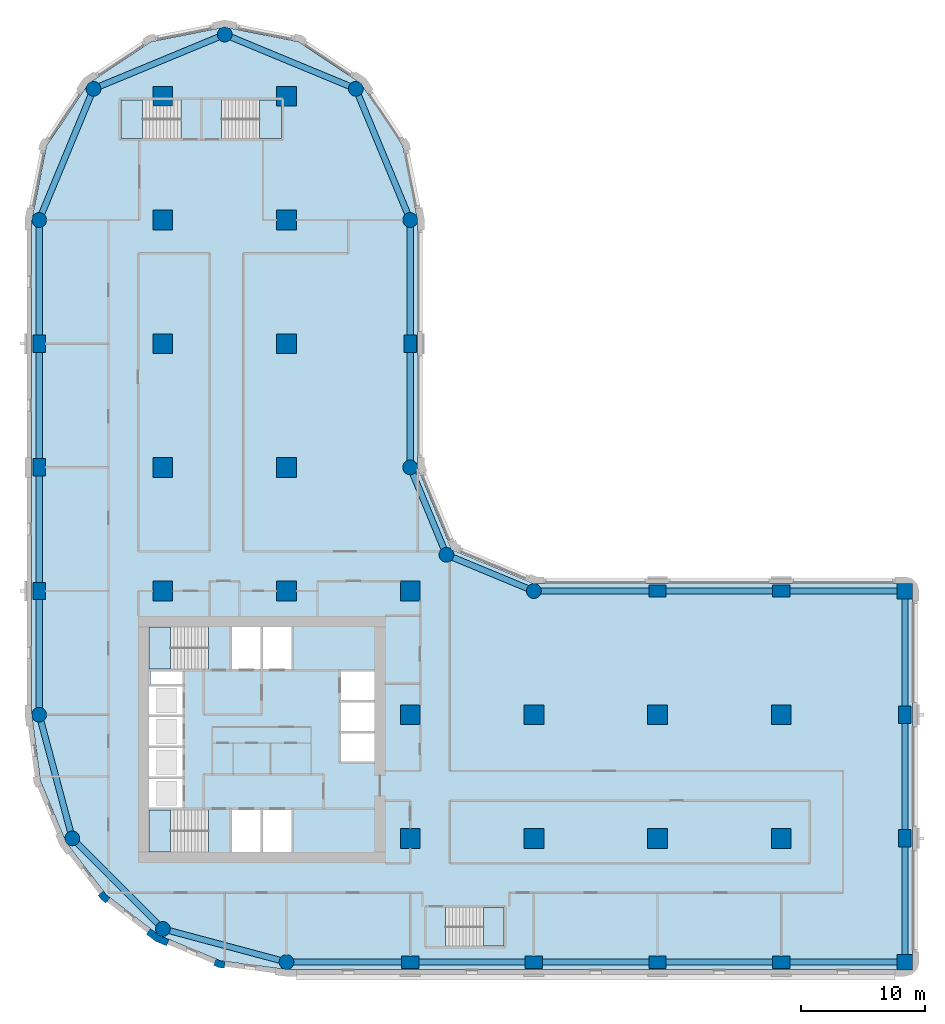
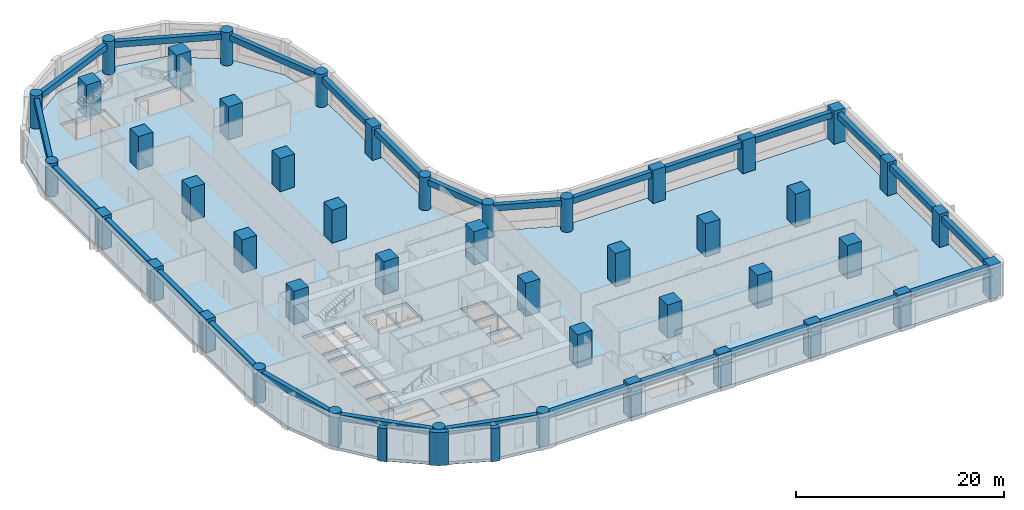
# One storey, part 1 of 10: 45 columns, 26 beams, 6 slabs, 3 walls, 5 elements without a shape of their own.
"""IFC4 building model written with IfcOpenShell, lengths in metres."""

from ifc_helpers import new_model, si_unit, direction, frame, origin, origin_2d, place, context, subcontext, project, spatial, polyline, rectangle, circle, outline, extrude, material, layer, layer_set, material_profile, profile_set, type_object, element, aggregate, save


model = new_model("IFC4")

# Units and contexts
model_context = context("Model", 3, precision=1e-05, world=origin(), true_north=direction((0.0, 1.0)))
body_context = subcontext(model_context, "Body", "Model", "MODEL_VIEW")
ifc_project = project(units=[si_unit("LENGTHUNIT", "METRE"), si_unit("AREAUNIT", "SQUARE_METRE"), si_unit("VOLUMEUNIT", "CUBIC_METRE"), si_unit("PLANEANGLEUNIT", "RADIAN"), si_unit("MASSUNIT", "GRAM", prefix="KILO")], contexts=[model_context])

# Site, building, storey
site_placement = place(None, origin())
site = spatial("IfcSite", under=ifc_project, at=site_placement, CompositionType="ELEMENT")
building_placement = place(site_placement, origin())
building = spatial("IfcBuilding", under=site, at=building_placement, Name="Qaws Garden Tower", CompositionType="ELEMENT")
storey_placement = place(building_placement, frame((0.0, 0.0, 47.10009765625)))
storey = spatial("IfcBuildingStorey", under=building, at=storey_placement, Name="L11", CompositionType="ELEMENT", Elevation=47.10009765625)

# Columns
ifc_material_1 = material(Name="Concrete C80", Category="concrete")
ifc_material_profile_1 = material_profile(ifc_material_1, rectangle(XDim=1.25, YDim=1.25, at=origin_2d()), Name="RC 1250x1250")
ifc_profile_set_1 = profile_set([ifc_material_profile_1], Name="Concrete C80")
column_type_1 = type_object("IfcColumnType", Name="Column RC 1250x1250 C80", PredefinedType="COLUMN", material=ifc_profile_set_1)
for number, where, z_axis, x_axis, name in (
    (1, (70.0, 0.0, 0.0), (0.0, 0.0, 1.0), (1.0, 0.0, 0.0), "Column L11-006"),
    (2, (70.0, 30.0, 0.0), (0.0, 0.0, 1.0), (1.0, 0.0, 0.0), "Column L11-009"),
):
    element("IfcColumn", number, at=place(storey_placement, frame(where, z_axis=z_axis, x_axis=x_axis)), inside=storey, type_object=column_type_1, Name=name, PredefinedType="COLUMN", context=body_context, shape_type="SweptSolid", body=[
        extrude(rectangle(XDim=1.25, YDim=1.25, at=origin_2d()), origin(), (0.0, 0.0, 1.0), 3.89990234375),
    ])
ifc_material_2 = material(Name="Concrete C80", Category="concrete")
ifc_material_profile_2 = material_profile(ifc_material_2, rectangle(XDim=1.39990234375, YDim=1.0, at=origin_2d()), Name="RC 1400x1000")
ifc_profile_set_2 = profile_set([ifc_material_profile_2], Name="Concrete C80")
column_type_2 = type_object("IfcColumnType", Name="Column RC 1400x1000 C80", PredefinedType="COLUMN", material=ifc_profile_set_2)
for number, where, z_axis, x_axis, name in (
    (3, (30.0, 0.0, 0.0), (0.0, 0.0, 1.0), (1.0, 0.0, 0.0), "Column L11-002"),
    (4, (40.0, 0.0, 0.0), (0.0, 0.0, 1.0), (1.0, 0.0, 0.0), "Column L11-003"),
    (5, (50.0, 0.0, 0.0), (0.0, 0.0, 1.0), (1.0, 0.0, 0.0), "Column L11-004"),
    (6, (60.0, 0.0, 0.0), (0.0, 0.0, 1.0), (1.0, 0.0, 0.0), "Column L11-005"),
    (7, (70.0, 10.0, 0.0), (0.0, 0.0, 1.0), (0.0, 1.0, 0.0), "Column L11-007"),
    (8, (70.0, 20.0, 0.0), (0.0, 0.0, 1.0), (0.0, 1.0, 0.0), "Column L11-008"),
    (9, (60.0, 30.0, 0.0), (0.0, 0.0, 1.0), (1.0, 0.0, 0.0), "Column L11-010"),
    (10, (50.0, 30.0, 0.0), (0.0, 0.0, 1.0), (1.0, 0.0, 0.0), "Column L11-011"),
    (11, (30.0, 50.0, 0.0), (0.0, 0.0, 1.0), (0.0, 1.0, 0.0), "Column L11-015"),
    (12, (0.0, 50.0, 0.0), (0.0, 0.0, 1.0), (0.0, 1.0, 0.0), "Column L11-021"),
    (13, (0.0, 40.0, 0.0), (0.0, 0.0, 1.0), (0.0, 1.0, 0.0), "Column L11-022"),
    (14, (0.0, 30.0, 0.0), (0.0, 0.0, 1.0), (0.0, 1.0, 0.0), "Column L11-023"),
):
    element("IfcColumn", number, at=place(storey_placement, frame(where, z_axis=z_axis, x_axis=x_axis)), inside=storey, type_object=column_type_2, Name=name, PredefinedType="COLUMN", context=body_context, shape_type="SweptSolid", body=[
        extrude(rectangle(XDim=1.39990234375, YDim=1.0, at=origin_2d()), origin(), (0.0, 0.0, 1.0), 3.89990234375),
    ])
ifc_material_3 = material(Name="Concrete C80", Category="concrete")
ifc_material_profile_3 = material_profile(ifc_material_3, rectangle(XDim=1.60009765625, YDim=1.60009765625, at=origin_2d()), Name="RC 1600x1600")
ifc_profile_set_3 = profile_set([ifc_material_profile_3], Name="Concrete C80")
column_type_3 = type_object("IfcColumnType", Name="Column RC 1600x1600 C80", PredefinedType="COLUMN", material=ifc_profile_set_3)
for number, where, z_axis, x_axis, name in (
    (15, (10.0, 30.0, 0.0), (0.0, 0.0, 1.0), (1.0, 0.0, 0.0), "Column L11-027"),
    (16, (10.0, 40.0, 0.0), (0.0, 0.0, 1.0), (1.0, 0.0, 0.0), "Column L11-028"),
    (17, (10.0, 50.0, 0.0), (0.0, 0.0, 1.0), (1.0, 0.0, 0.0), "Column L11-029"),
    (18, (10.0, 60.0, 0.0), (0.0, 0.0, 1.0), (1.0, 0.0, 0.0), "Column L11-030"),
    (19, (10.0, 70.0, 0.0), (0.0, 0.0, 1.0), (1.0, 0.0, 0.0), "Column L11-031"),
    (20, (20.0, 30.0, 0.0), (0.0, 0.0, 1.0), (1.0, 0.0, 0.0), "Column L11-032"),
    (21, (20.0, 40.0, 0.0), (0.0, 0.0, 1.0), (1.0, 0.0, 0.0), "Column L11-033"),
    (22, (20.0, 50.0, 0.0), (0.0, 0.0, 1.0), (1.0, 0.0, 0.0), "Column L11-034"),
    (23, (20.0, 60.0, 0.0), (0.0, 0.0, 1.0), (1.0, 0.0, 0.0), "Column L11-035"),
    (24, (20.0, 70.0, 0.0), (0.0, 0.0, 1.0), (1.0, 0.0, 0.0), "Column L11-036"),
    (25, (30.0, 10.0, 0.0), (0.0, 0.0, 1.0), (1.0, 0.0, 0.0), "Column L11-037"),
    (26, (30.0, 20.0, 0.0), (0.0, 0.0, 1.0), (1.0, 0.0, 0.0), "Column L11-038"),
    (27, (30.0, 30.0, 0.0), (0.0, 0.0, 1.0), (1.0, 0.0, 0.0), "Column L11-039"),
    (28, (40.0, 10.0, 0.0), (0.0, 0.0, 1.0), (1.0, 0.0, 0.0), "Column L11-040"),
    (29, (40.0, 20.0, 0.0), (0.0, 0.0, 1.0), (1.0, 0.0, 0.0), "Column L11-041"),
    (30, (50.0, 10.0, 0.0), (0.0, 0.0, 1.0), (1.0, 0.0, 0.0), "Column L11-042"),
    (31, (50.0, 20.0, 0.0), (0.0, 0.0, 1.0), (1.0, 0.0, 0.0), "Column L11-043"),
    (32, (60.0, 10.0, 0.0), (0.0, 0.0, 1.0), (1.0, 0.0, 0.0), "Column L11-044"),
    (33, (60.0, 20.0, 0.0), (0.0, 0.0, 1.0), (1.0, 0.0, 0.0), "Column L11-045"),
):
    element("IfcColumn", number, at=place(storey_placement, frame(where, z_axis=z_axis, x_axis=x_axis)), inside=storey, type_object=column_type_3, Name=name, PredefinedType="COLUMN", context=body_context, shape_type="SweptSolid", body=[
        extrude(rectangle(XDim=1.60009765625, YDim=1.60009765625, at=origin_2d()), origin(), (0.0, 0.0, 1.0), 3.89990234375),
    ])
ifc_material_4 = material(Name="Concrete C80", Category="concrete")
ifc_material_profile_4 = material_profile(ifc_material_4, circle(Radius=0.60009765625, at=origin_2d()), Name="RC D1200")
ifc_profile_set_4 = profile_set([ifc_material_profile_4], Name="Concrete C80")
column_type_4 = type_object("IfcColumnType", Name="Column RC D1200 C80", PredefinedType="COLUMN", material=ifc_profile_set_4)
for number, where, z_axis, x_axis, name in (
    (34, (20.0, 0.0, 0.0), (0.0, 0.0, 1.0), (1.0, 0.0, 0.0), "Column L11-001"),
    (35, (40.0, 30.0, 0.0), (0.0, 0.0, 1.0), (1.0, 0.0, 0.0), "Column L11-012"),
    (36, (32.928955078125, 32.928955078125, 0.0), (0.0, 0.0, 1.0), (1.0, 0.0, 0.0), "Column L11-013"),
    (37, (30.0, 40.0, 0.0), (0.0, 0.0, 1.0), (1.0, 0.0, 0.0), "Column L11-014"),
    (38, (30.0, 60.0, 0.0), (0.0, 0.0, 1.0), (1.0, 0.0, 0.0), "Column L11-016"),
    (39, (25.606689453125, 70.606689453125, 0.0), (0.0, 0.0, 1.0), (1.0, 0.0, 0.0), "Column L11-017"),
    (40, (15.0, 75.0, 0.0), (0.0, 0.0, 1.0), (1.0, 0.0, 0.0), "Column L11-018"),
    (41, (4.393310546875, 70.606689453125, 0.0), (0.0, 0.0, 1.0), (1.0, 0.0, 0.0), "Column L11-019"),
    (42, (0.0, 60.0, 0.0), (0.0, 0.0, 1.0), (1.0, 0.0, 0.0), "Column L11-020"),
    (43, (0.0, 20.0, 0.0), (0.0, 0.0, 1.0), (1.0, 0.0, 0.0), "Column L11-024"),
    (44, (2.679443359375, 10.0, 0.0), (0.0, 0.0, 1.0), (1.0, 0.0, 0.0), "Column L11-025"),
    (45, (10.0, 2.679443359375, 0.0), (0.0, 0.0, 1.0), (1.0, 0.0, 0.0), "Column L11-026"),
):
    element("IfcColumn", number, at=place(storey_placement, frame(where, z_axis=z_axis, x_axis=x_axis)), inside=storey, type_object=column_type_4, Name=name, PredefinedType="COLUMN", context=body_context, shape_type="SweptSolid", body=[
        extrude(circle(Radius=0.60009765625, at=origin_2d()), origin(), (0.0, 0.0, 1.0), 3.89990234375),
    ])

# Beams
ifc_material_5 = material(Name="Concrete C45", Category="concrete")
ifc_material_profile_5 = material_profile(ifc_material_5, rectangle(XDim=0.5, YDim=0.699951171875, at=origin_2d()), Name="RC 500x700")
ifc_profile_set_5 = profile_set([ifc_material_profile_5], Name="Concrete C45")
beam_type = type_object("IfcBeamType", Name="Spandrel beam RC 500x700 C45", PredefinedType="SPANDREL", material=ifc_profile_set_5)
for number, where, z_axis, x_axis, name in (
    (46, (20.0, 0.0, 3.22998046875), (1.0, 0.0, 0.0), (0.0, 1.0, 0.0), "Spandrel beam L11-001"),
    (47, (30.0, 0.0, 3.22998046875), (1.0, 0.0, 0.0), (0.0, 1.0, 0.0), "Spandrel beam L11-002"),
    (48, (40.0, 0.0, 3.22998046875), (1.0, 0.0, 0.0), (0.0, 1.0, 0.0), "Spandrel beam L11-003"),
    (49, (50.0, 0.0, 3.22998046875), (1.0, 0.0, 0.0), (0.0, 1.0, 0.0), "Spandrel beam L11-004"),
    (50, (60.0, 0.0, 3.22998046875), (1.0, 0.0, 0.0), (0.0, 1.0, 0.0), "Spandrel beam L11-005"),
    (51, (70.0, 0.0, 3.22998046875), (0.0, 1.0, 0.0), (-1.0, 0.0, 0.0), "Spandrel beam L11-006"),
    (52, (70.0, 10.0, 3.22998046875), (0.0, 1.0, 0.0), (-1.0, 0.0, 0.0), "Spandrel beam L11-007"),
    (53, (70.0, 20.0, 3.22998046875), (0.0, 1.0, 0.0), (-1.0, 0.0, 0.0), "Spandrel beam L11-008"),
    (54, (70.0, 30.0, 3.22998046875), (-1.0, 0.0, 0.0), (0.0, -1.0, 0.0), "Spandrel beam L11-009"),
    (55, (60.0, 30.0, 3.22998046875), (-1.0, 0.0, 0.0), (0.0, -1.0, 0.0), "Spandrel beam L11-010"),
    (56, (50.0, 30.0, 3.22998046875), (-1.0, 0.0, 0.0), (0.0, -1.0, 0.0), "Spandrel beam L11-011"),
):
    element("IfcBeam", number, at=place(storey_placement, frame(where, z_axis=z_axis, x_axis=x_axis)), inside=storey, type_object=beam_type, Name=name, PredefinedType="SPANDREL", context=body_context, shape_type="SweptSolid", body=[
        extrude(rectangle(XDim=0.5, YDim=0.699951171875, at=origin_2d()), origin(), (0.0, 0.0, 1.0), 10.0),
    ])
for number, where, z_axis, x_axis, name in (
    (57, (40.0, 30.0, 3.22998046875), (-0.923878037141, 0.382687042488, 0.0), (-0.382687042488, -0.923878037141, 0.0), "Spandrel beam L11-012"),
    (58, (32.928955078125, 32.928955078125, 3.22998046875), (-0.382687042488, 0.923878037141, 0.0), (-0.923878037141, -0.382687042488, 0.0), "Spandrel beam L11-013"),
):
    element("IfcBeam", number, at=place(storey_placement, frame(where, z_axis=z_axis, x_axis=x_axis)), inside=storey, type_object=beam_type, Name=name, PredefinedType="SPANDREL", context=body_context, shape_type="SweptSolid", body=[
        extrude(rectangle(XDim=0.5, YDim=0.699951171875, at=origin_2d()), origin(), (0.0, 0.0, 1.0), 7.653564453125),
    ])
for number, where, z_axis, x_axis, name in (
    (59, (30.0, 40.0, 3.22998046875), (0.0, 1.0, 0.0), (-1.0, 0.0, 0.0), "Spandrel beam L11-014"),
    (60, (30.0, 50.0, 3.22998046875), (0.0, 1.0, 0.0), (-1.0, 0.0, 0.0), "Spandrel beam L11-015"),
):
    element("IfcBeam", number, at=place(storey_placement, frame(where, z_axis=z_axis, x_axis=x_axis)), inside=storey, type_object=beam_type, Name=name, PredefinedType="SPANDREL", context=body_context, shape_type="SweptSolid", body=[
        extrude(rectangle(XDim=0.5, YDim=0.699951171875, at=origin_2d()), origin(), (0.0, 0.0, 1.0), 10.0),
    ])
for number, where, z_axis, x_axis, name in (
    (61, (30.0, 60.0, 3.22998046875), (-0.382674207535, 0.923883353507, 0.0), (-0.923883353507, -0.382674207535, 0.0), "Spandrel beam L11-016"),
    (62, (25.606689453125, 70.606689453125, 3.22998046875), (-0.923883353507, 0.382674207535, 0.0), (-0.382674207535, -0.923883353507, 0.0), "Spandrel beam L11-017"),
    (63, (15.0, 75.0, 3.22998046875), (-0.923883353507, -0.382674207535, 0.0), (0.382674207535, -0.923883353507, 0.0), "Spandrel beam L11-018"),
    (64, (4.393310546875, 70.606689453125, 3.22998046875), (-0.382674207535, -0.923883353507, 0.0), (0.923883353507, -0.382674207535, 0.0), "Spandrel beam L11-019"),
):
    element("IfcBeam", number, at=place(storey_placement, frame(where, z_axis=z_axis, x_axis=x_axis)), inside=storey, type_object=beam_type, Name=name, PredefinedType="SPANDREL", context=body_context, shape_type="SweptSolid", body=[
        extrude(rectangle(XDim=0.5, YDim=0.699951171875, at=origin_2d()), origin(), (0.0, 0.0, 1.0), 11.48046875),
    ])
for number, where, z_axis, x_axis, name in (
    (65, (0.0, 60.0, 3.22998046875), (0.0, -1.0, 0.0), (1.0, 0.0, 0.0), "Spandrel beam L11-020"),
    (66, (0.0, 50.0, 3.22998046875), (0.0, -1.0, 0.0), (1.0, 0.0, 0.0), "Spandrel beam L11-021"),
    (67, (0.0, 40.0, 3.22998046875), (0.0, -1.0, 0.0), (1.0, 0.0, 0.0), "Spandrel beam L11-022"),
    (68, (0.0, 30.0, 3.22998046875), (0.0, -1.0, 0.0), (1.0, 0.0, 0.0), "Spandrel beam L11-023"),
):
    element("IfcBeam", number, at=place(storey_placement, frame(where, z_axis=z_axis, x_axis=x_axis)), inside=storey, type_object=beam_type, Name=name, PredefinedType="SPANDREL", context=body_context, shape_type="SweptSolid", body=[
        extrude(rectangle(XDim=0.5, YDim=0.699951171875, at=origin_2d()), origin(), (0.0, 0.0, 1.0), 10.0),
    ])
for number, where, z_axis, x_axis, name in (
    (69, (0.0, 20.0, 3.22998046875), (0.25881466832, -0.965926999034, 0.0), (0.965926999034, 0.25881466832, 0.0), "Spandrel beam L11-024"),
    (70, (2.679443359375, 10.0, 3.22998046875), (0.707106781187, -0.707106781187, 0.0), (0.707106781187, 0.707106781187, 0.0), "Spandrel beam L11-025"),
    (71, (10.0, 2.679443359375, 3.22998046875), (0.965926999034, -0.25881466832, 0.0), (0.25881466832, 0.965926999034, 0.0), "Spandrel beam L11-026"),
):
    element("IfcBeam", number, at=place(storey_placement, frame(where, z_axis=z_axis, x_axis=x_axis)), inside=storey, type_object=beam_type, Name=name, PredefinedType="SPANDREL", context=body_context, shape_type="SweptSolid", body=[
        extrude(rectangle(XDim=0.5, YDim=0.699951171875, at=origin_2d()), origin(), (0.0, 0.0, 1.0), 10.352783203125),
    ])

# Slab
ifc_material_6 = material(Name="Concrete C40", Category="concrete")
ifc_layer_1 = layer(ifc_material_6, 0.320068359375)
ifc_layer_set_1 = layer_set([ifc_layer_1], Name="Concrete C40")
slab_type_1 = type_object("IfcSlabType", Name="Floor slab 320 C40", PredefinedType="FLOOR", material=ifc_layer_set_1)
slab_1_placement = place(storey_placement, frame((0.0, 0.0, -0.320068359375)))
element("IfcSlab", 72, at=slab_1_placement, inside=storey, type_object=slab_type_1, Name="Floor slab L11", PredefinedType="FLOOR", context=body_context, shape_type="SweptSolid", body=[
    extrude(outline(polyline([(0.101806640625, 14.668212890625), (-0.60009765625, 20.0), (-0.60009765625, 30.60009765625), (-0.60009765625, 60.0), (-0.60009765625, 60.0), (0.58740234375, 65.969970703125), (3.968994140625, 71.031005859375), (9.030029296875, 74.41259765625), (15.0, 75.60009765625), (20.969970703125, 74.41259765625), (26.031005859375, 71.031005859375), (29.41259765625, 65.969970703125), (30.60009765625, 60.0), (30.60009765625, 40.0), (33.353271484375, 33.353271484375), (40.0, 30.60009765625), (70.0, 30.60009765625), (70.42431640625, 30.42431640625), (70.60009765625, 30.0), (70.60009765625, 0.0), (70.42431640625, -0.42431640625), (70.0, -0.60009765625), (30.60009765625, -0.60009765625), (20.0, -0.60009765625), (14.668212890625, 0.101806640625), (9.699951171875, 2.159912109375), (5.43359375, 5.43359375), (2.159912109375, 9.699951171875), (0.101806640625, 14.668212890625)]), holes=[polyline([(13.699462890625, 12.300048828125), (8.89990234375, 12.300048828125), (8.89990234375, 8.89990234375), (13.699462890625, 8.89990234375), (13.699462890625, 12.300048828125)]), polyline([(17.89990234375, 12.300048828125), (15.60009765625, 12.300048828125), (15.60009765625, 8.89990234375), (17.89990234375, 8.89990234375), (17.89990234375, 12.300048828125)]), polyline([(11.60009765625, 14.800048828125), (8.89990234375, 14.800048828125), (8.89990234375, 12.5), (11.60009765625, 12.5), (11.60009765625, 14.800048828125)]), polyline([(11.60009765625, 17.300048828125), (8.89990234375, 17.300048828125), (8.89990234375, 15.0), (11.60009765625, 15.0), (11.60009765625, 17.300048828125)]), polyline([(11.60009765625, 19.800048828125), (8.89990234375, 19.800048828125), (8.89990234375, 17.5), (11.60009765625, 17.5), (11.60009765625, 19.800048828125)]), polyline([(11.60009765625, 22.300048828125), (8.89990234375, 22.300048828125), (8.89990234375, 20.0), (11.60009765625, 20.0), (11.60009765625, 22.300048828125)]), polyline([(11.60009765625, 23.5), (9.0, 23.5), (9.0, 22.5), (11.60009765625, 22.5), (11.60009765625, 23.5)]), polyline([(13.699462890625, 27.10009765625), (8.89990234375, 27.10009765625), (8.89990234375, 23.699951171875), (13.699462890625, 23.699951171875), (13.699462890625, 27.10009765625)]), polyline([(11.449462890625, 69.699951171875), (6.60009765625, 69.699951171875), (6.60009765625, 66.60009765625), (11.449462890625, 66.60009765625), (11.449462890625, 69.699951171875)]), polyline([(37.60009765625, 4.39990234375), (32.8505859375, 4.39990234375), (32.8505859375, 1.300048828125), (37.60009765625, 1.300048828125), (37.60009765625, 4.39990234375)]), polyline([(20.39990234375, 12.300048828125), (18.10009765625, 12.300048828125), (18.10009765625, 8.89990234375), (20.39990234375, 8.89990234375), (20.39990234375, 12.300048828125)]), polyline([(27.10009765625, 18.5), (24.39990234375, 18.5), (24.39990234375, 16.199951171875), (27.10009765625, 16.199951171875), (27.10009765625, 18.5)]), polyline([(27.10009765625, 21.0), (24.39990234375, 21.0), (24.39990234375, 18.699951171875), (27.10009765625, 18.699951171875), (27.10009765625, 21.0)]), polyline([(27.10009765625, 23.5), (24.39990234375, 23.5), (24.39990234375, 21.199951171875), (27.10009765625, 21.199951171875), (27.10009765625, 23.5)]), polyline([(17.89990234375, 27.10009765625), (15.60009765625, 27.10009765625), (15.60009765625, 23.699951171875), (17.89990234375, 23.699951171875), (17.89990234375, 27.10009765625)]), polyline([(20.39990234375, 23.699951171875), (20.39990234375, 27.10009765625), (18.10009765625, 27.10009765625), (18.10009765625, 23.699951171875), (20.39990234375, 23.699951171875)]), polyline([(19.60009765625, 66.60009765625), (19.60009765625, 69.699951171875), (14.75048828125, 69.699951171875), (14.75048828125, 66.60009765625), (19.60009765625, 66.60009765625)])]), origin(), (0.0, 0.0, 1.0), 0.320068359375),
])

# Stair, slab
ifc_material_7 = material(Name="Concrete C40", Category="concrete")
stair_type_1 = type_object("IfcStairType", Name="Exit stair 1500", PredefinedType="HALF_TURN_STAIR", material=ifc_material_7)
placement_1 = place(storey_placement, origin())
stair_1 = element("IfcStair", 73, at=placement_1, inside=storey, type_object=stair_type_1, Name="Stair 1", PredefinedType="HALF_TURN_STAIR")
ifc_material_8 = material(Name="Concrete C40", Category="concrete")
ifc_layer_2 = layer(ifc_material_8, 0.199951171875)
ifc_layer_set_2 = layer_set([ifc_layer_2], Name="Concrete C40")
slab_type_2 = type_object("IfcSlabType", Name="Stair landing 200", PredefinedType="LANDING", material=ifc_layer_set_2)
placement_2 = place(storey_placement, frame((0.0, 0.0, 1.75)))
slab_2 = element("IfcSlab", 74, at=placement_2, type_object=slab_type_2, Name="ST1 landing 1", PredefinedType="LANDING", context=body_context, shape_type="SweptSolid", body=[
    extrude(outline(polyline([(8.89990234375, 8.89990234375), (10.6201171875, 8.89990234375), (10.6201171875, 12.300048828125), (8.89990234375, 12.300048828125), (8.89990234375, 8.89990234375)])), origin(), (0.0, 0.0, 1.0), 0.199951171875),
])
aggregate(stair_1, [slab_2])

stair_2 = element("IfcStair", 75, at=placement_1, inside=storey, type_object=stair_type_1, Name="Stair 4", PredefinedType="HALF_TURN_STAIR")
slab_3 = element("IfcSlab", 76, at=placement_2, type_object=slab_type_2, Name="ST4 landing 1", PredefinedType="LANDING", context=body_context, shape_type="SweptSolid", body=[
    extrude(outline(polyline([(8.89990234375, 23.699951171875), (10.6201171875, 23.699951171875), (10.6201171875, 27.10009765625), (8.89990234375, 27.10009765625), (8.89990234375, 23.699951171875)])), origin(), (0.0, 0.0, 1.0), 0.199951171875),
])
aggregate(stair_2, [slab_3])

ifc_material_9 = material(Name="Concrete C40", Category="concrete")
stair_type_2 = type_object("IfcStairType", Name="Exit stair 1350", PredefinedType="HALF_TURN_STAIR", material=ifc_material_9)
stair_3 = element("IfcStair", 77, at=placement_1, inside=storey, type_object=stair_type_2, Name="Stair 5", PredefinedType="HALF_TURN_STAIR")
slab_4 = element("IfcSlab", 78, at=placement_2, type_object=slab_type_2, Name="ST5 landing 1", PredefinedType="LANDING", context=body_context, shape_type="SweptSolid", body=[
    extrude(outline(polyline([(35.929931640625, 1.300048828125), (37.60009765625, 1.300048828125), (37.60009765625, 4.39990234375), (35.929931640625, 4.39990234375), (35.929931640625, 1.300048828125)])), origin(), (0.0, 0.0, 1.0), 0.199951171875),
])
aggregate(stair_3, [slab_4])

stair_4 = element("IfcStair", 79, at=placement_1, inside=storey, type_object=stair_type_2, Name="Stair 6", PredefinedType="HALF_TURN_STAIR")
slab_5 = element("IfcSlab", 80, at=placement_2, type_object=slab_type_2, Name="ST6 landing 1", PredefinedType="LANDING", context=body_context, shape_type="SweptSolid", body=[
    extrude(outline(polyline([(6.60009765625, 66.60009765625), (8.3701171875, 66.60009765625), (8.3701171875, 69.699951171875), (6.60009765625, 69.699951171875), (6.60009765625, 66.60009765625)])), origin(), (0.0, 0.0, 1.0), 0.199951171875),
])
aggregate(stair_4, [slab_5])

stair_5 = element("IfcStair", 81, at=placement_1, inside=storey, type_object=stair_type_2, Name="Stair 7", PredefinedType="HALF_TURN_STAIR")
slab_6 = element("IfcSlab", 82, at=placement_2, type_object=slab_type_2, Name="ST7 landing 1", PredefinedType="LANDING", context=body_context, shape_type="SweptSolid", body=[
    extrude(outline(polyline([(17.830078125, 66.60009765625), (19.60009765625, 66.60009765625), (19.60009765625, 69.699951171875), (17.830078125, 69.699951171875), (17.830078125, 66.60009765625)])), origin(), (0.0, 0.0, 1.0), 0.199951171875),
])
aggregate(stair_5, [slab_6])

# Walls
ifc_material_10 = material(Name="Clay facing brick masonry", Category="masonry")
ifc_layer_3 = layer(ifc_material_10, 0.550048828125)
ifc_layer_set_3 = layer_set([ifc_layer_3], Name="Clay facing brick masonry")
wall_type_1 = type_object("IfcWallType", Name="Brick kink pier 550 x 600", PredefinedType="SOLIDWALL", material=ifc_layer_set_3)
element("IfcWall", 83, at=placement_1, inside=storey, type_object=wall_type_1, Name="E-L11-pier-30", PredefinedType="SOLIDWALL", context=body_context, shape_type="SweptSolid", body=[
    extrude(outline(polyline([(4.8818359375, 5.487060546875), (4.762939453125, 5.395751953125), (5.03759765625, 5.03759765625), (5.395751953125, 4.762939453125), (5.487060546875, 4.8818359375), (5.730712890625, 5.19921875), (5.429931640625, 5.429931640625), (5.19921875, 5.730712890625), (4.8818359375, 5.487060546875)])), origin(), (0.0, 0.0, 1.0), 3.89990234375),
])
element("IfcWall", 84, at=placement_1, inside=storey, type_object=wall_type_1, Name="E-L11-pier-32", PredefinedType="SOLIDWALL", context=body_context, shape_type="SweptSolid", body=[
    extrude(outline(polyline([(14.163818359375, -0.127685546875), (14.1064453125, -0.26611328125), (14.5234375, -0.43896484375), (14.970947265625, -0.497802734375), (14.990478515625, -0.34912109375), (15.042724609375, 0.04736328125), (14.6669921875, 0.096923828125), (14.31689453125, 0.241943359375), (14.163818359375, -0.127685546875)])), origin(), (0.0, 0.0, 1.0), 3.89990234375),
])
ifc_material_11 = material(Name="Clay facing brick masonry", Category="masonry")
ifc_layer_4 = layer(ifc_material_11, 0.550048828125)
ifc_layer_set_4 = layer_set([ifc_layer_4], Name="Clay facing brick masonry")
wall_type_2 = type_object("IfcWallType", Name="Brick pier 550 x 1600", PredefinedType="SOLIDWALL", material=ifc_layer_set_4)
element("IfcWall", 85, at=placement_1, inside=storey, type_object=wall_type_2, Name="E-L11-pier-31", PredefinedType="SOLIDWALL", context=body_context, shape_type="SweptSolid", body=[
    extrude(outline(polyline([(8.756591796875, 2.373046875), (8.665283203125, 2.254150390625), (9.419921875, 1.675048828125), (10.299072265625, 1.310791015625), (10.3564453125, 1.449462890625), (10.509521484375, 1.819091796875), (9.697509765625, 2.1552734375), (9.0, 2.6904296875), (8.756591796875, 2.373046875)])), origin(), (0.0, 0.0, 1.0), 3.89990234375),
])

save(model, "model.ifc")
